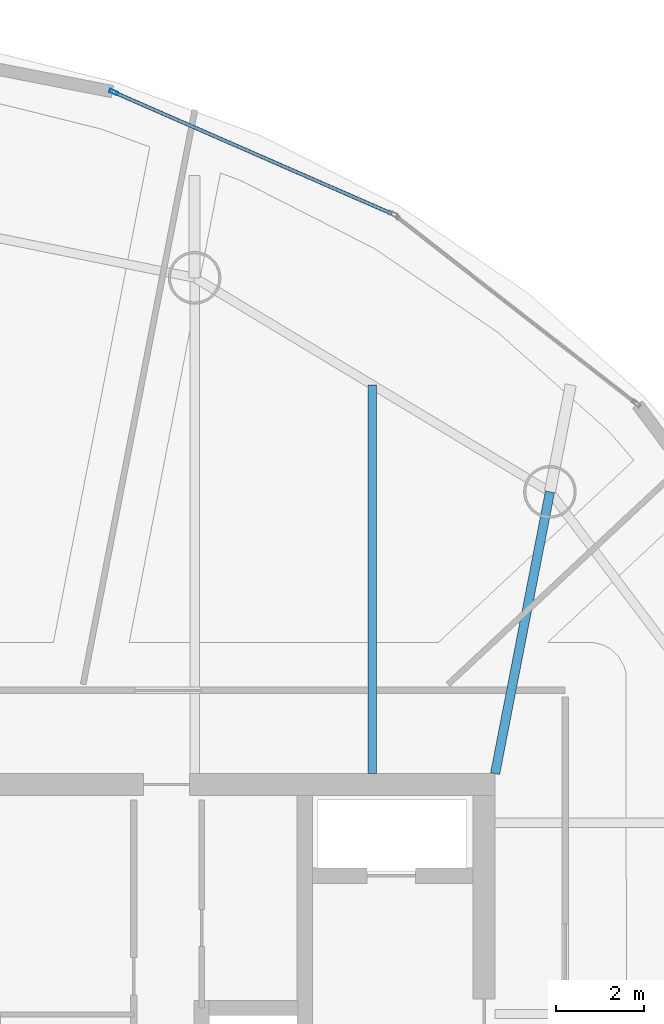
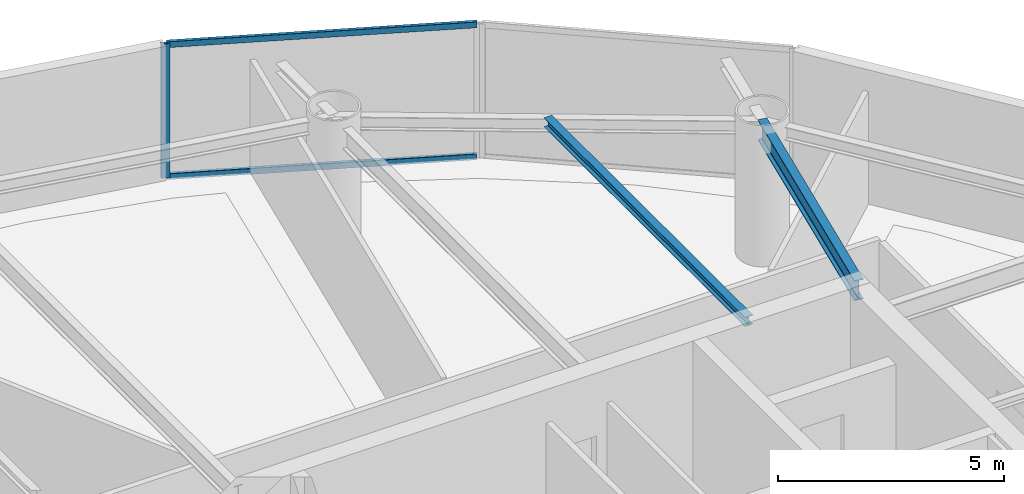
# One storey, part 12 of 22: 3 members, 2 beams, 1 element without a shape of its own.
"""IFC4 building model written with IfcOpenShell, lengths in metres."""

from ifc_helpers import new_model, si_unit, direction, frame, origin, origin_2d, place, context, subcontext, project, spatial, hollow_rectangle, i_section, extrude, material, layer, layer_set, material_profile, profile_set, type_object, element, aggregate, save


model = new_model("IFC4")

# Units and contexts
model_context = context("Model", 3, precision=1e-05, world=origin(), true_north=direction((0.0, 1.0)))
body_context = subcontext(model_context, "Body", "Model", "MODEL_VIEW")
ifc_project = project(units=[si_unit("LENGTHUNIT", "METRE"), si_unit("AREAUNIT", "SQUARE_METRE"), si_unit("VOLUMEUNIT", "CUBIC_METRE"), si_unit("PLANEANGLEUNIT", "RADIAN"), si_unit("MASSUNIT", "GRAM", prefix="KILO")], contexts=[model_context])

# Site, building, storey
site_placement = place(None, origin())
site = spatial("IfcSite", under=ifc_project, at=site_placement, CompositionType="ELEMENT")
building_placement = place(site_placement, origin())
building = spatial("IfcBuilding", under=site, at=building_placement, Name="Bramvorn Convention Spire", CompositionType="ELEMENT")
storey_placement = place(building_placement, frame((0.0, 0.0, 213.550048828125)))
storey = spatial("IfcBuildingStorey", under=building, at=storey_placement, Name="L54", CompositionType="ELEMENT", Elevation=213.550048828125)

# Beams
ifc_material_1 = material(Name="Steel CSA G40.21 Grade 350 (350W)", Category="steel")
ifc_material_profile_1 = material_profile(ifc_material_1, i_section(OverallWidth=0.201904296875, OverallDepth=0.2470703125, WebThickness=0.00732421875, FlangeThickness=0.010986328125, FilletRadius=0.011962890625, at=origin_2d()))
ifc_profile_set_1 = profile_set([ifc_material_profile_1], Name="Steel CSA G40.21 Grade 350 (350W) - W250X49")
beam_type_1 = type_object("IfcBeamType", Name="BM-W250X49", PredefinedType="JOIST", material=ifc_profile_set_1)
beam_1_placement = place(storey_placement, frame((46.445556640625, 33.449951171875, 3.496337890625), z_axis=(0.0, 1.0, 0.0), x_axis=(-1.0, 0.0, 0.0)))
element("IfcBeam", 1, at=beam_1_placement, inside=storey, type_object=beam_type_1, Name="L54 composite floor joist 05", PredefinedType="JOIST", context=body_context, shape_type="SweptSolid", body=[
    extrude(i_section(OverallWidth=0.201904296875, OverallDepth=0.2470703125, WebThickness=0.00732421875, FlangeThickness=0.010986328125, FilletRadius=0.011962890625, at=origin_2d()), origin(), (0.0, 0.0, 1.0), 8.878662109375),
])
ifc_material_profile_2 = material_profile(ifc_material_1, i_section(OverallWidth=0.2119140625, OverallDepth=0.5439453125, WebThickness=0.01318359375, FlangeThickness=0.021240234375, FilletRadius=0.01904296875, at=origin_2d()))
ifc_profile_set_2 = profile_set([ifc_material_profile_2], Name="Steel CSA G40.21 Grade 350 (350W) - W530X123")
beam_type_2 = type_object("IfcBeamType", Name="BM-W530X123", PredefinedType="BEAM", material=ifc_profile_set_2)
beam_2_placement = place(storey_placement, frame((49.25, 33.449951171875, 3.347900390625), z_axis=(0.190971329886, 0.981595614885, 0.0), x_axis=(-0.981595614885, 0.190971329886, 0.0)))
element("IfcBeam", 2, at=beam_2_placement, inside=storey, type_object=beam_type_2, Name="L54 radial floor girder MC05", PredefinedType="BEAM", context=body_context, shape_type="SweptSolid", body=[
    extrude(i_section(OverallWidth=0.2119140625, OverallDepth=0.5439453125, WebThickness=0.01318359375, FlangeThickness=0.021240234375, FilletRadius=0.01904296875, at=origin_2d()), origin(), (0.0, 0.0, 1.0), 6.5556640625),
])

# Curtain wall, members
ifc_material_2 = material(Name="Anodised Bronze Unitised Curtain Wall", Category="aluminium")
ifc_layer = layer(ifc_material_2, 0.179931640625)
ifc_layer_set = layer_set([ifc_layer], Name="Anodised Bronze Unitised Curtain Wall - CW-OFF-FRIT")
curtain_wall_type = type_object("IfcCurtainWallType", Name="CW-OFF-FRIT", PredefinedType="USERDEFINED", material=ifc_layer_set)
curtain_wall_placement = place(storey_placement, origin())
curtain_wall = element("IfcCurtainWall", 3, at=curtain_wall_placement, inside=storey, type_object=curtain_wall_type, Name="L54 fritted glass curtain wall 08", ObjectType="UNITISED CURTAIN WALL", PredefinedType="USERDEFINED")
ifc_material_3 = material(Name="Anodised Bronze Aluminium 6063-T6", Category="aluminium")
ifc_material_profile_3 = material_profile(ifc_material_3, hollow_rectangle(XDim=0.080078125, YDim=0.199951171875, WallThickness=0.00390625, InnerFilletRadius=0.0009765625, OuterFilletRadius=0.00390625, at=origin_2d()))
ifc_profile_set_3 = profile_set([ifc_material_profile_3], Name="Anodised Bronze Aluminium 6063-T6 - CWM80X200")
member_type_1 = type_object("IfcMemberType", Name="CW-MUL-180", PredefinedType="MULLION", material=ifc_profile_set_3)
member_1_placement = place(storey_placement, frame((40.542236328125, 49.01123046875, 0.0), z_axis=(0.0, 0.0, 1.0), x_axis=(0.400494377625, 0.916299216136, 0.0)))
member_1 = element("IfcMember", 4, at=member_1_placement, type_object=member_type_1, Name="CW3 mullion 1", PredefinedType="MULLION", context=body_context, shape_type="SweptSolid", body=[
    extrude(hollow_rectangle(XDim=0.080078125, YDim=0.199951171875, WallThickness=0.00390625, InnerFilletRadius=0.0009765625, OuterFilletRadius=0.00390625, at=origin_2d()), origin(), (0.0, 0.0, 1.0), 3.619873046875),
])
ifc_material_profile_4 = material_profile(ifc_material_3, hollow_rectangle(XDim=0.080078125, YDim=0.159912109375, WallThickness=0.00390625, InnerFilletRadius=0.0009765625, OuterFilletRadius=0.00390625, at=origin_2d()))
ifc_profile_set_4 = profile_set([ifc_material_profile_4], Name="Anodised Bronze Aluminium 6063-T6 - CWT80X160")
member_type_2 = type_object("IfcMemberType", Name="CW-TRN-150", PredefinedType="USERDEFINED", material=ifc_profile_set_4)
member_2_placement = place(storey_placement, frame((40.56982421875, 48.999267578125, 0.030029296875), z_axis=(0.916300248349, -0.400492015995, 0.0), x_axis=(0.400492015995, 0.916300248349, 0.0)))
member_2 = element("IfcMember", 5, at=member_2_placement, type_object=member_type_2, Name="CW3 transom 1.1", ObjectType="TRANSOM", PredefinedType="USERDEFINED", context=body_context, shape_type="SweptSolid", body=[
    extrude(hollow_rectangle(XDim=0.080078125, YDim=0.159912109375, WallThickness=0.00390625, InnerFilletRadius=0.0009765625, OuterFilletRadius=0.00390625, at=origin_2d()), origin(), (0.0, 0.0, 1.0), 6.897705078125),
])
member_3_placement = place(storey_placement, frame((40.56982421875, 48.999267578125, 3.58984375), z_axis=(0.916300248349, -0.400492015995, 0.0), x_axis=(0.400492015995, 0.916300248349, 0.0)))
member_3 = element("IfcMember", 6, at=member_3_placement, type_object=member_type_2, Name="CW3 transom 1.2", ObjectType="TRANSOM", PredefinedType="USERDEFINED", context=body_context, shape_type="SweptSolid", body=[
    extrude(hollow_rectangle(XDim=0.080078125, YDim=0.159912109375, WallThickness=0.00390625, InnerFilletRadius=0.0009765625, OuterFilletRadius=0.00390625, at=origin_2d()), origin(), (0.0, 0.0, 1.0), 6.897705078125),
])
aggregate(curtain_wall, [member_1, member_2, member_3])

save(model, "model.ifc")
